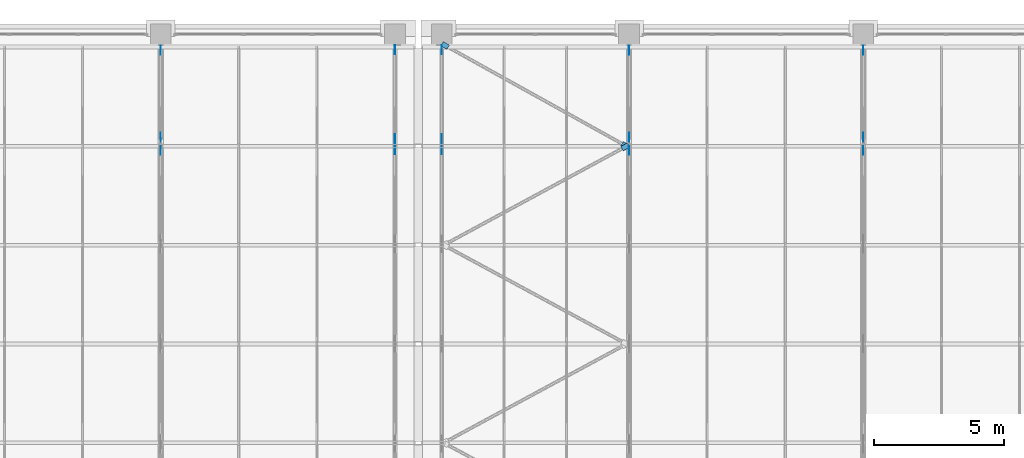
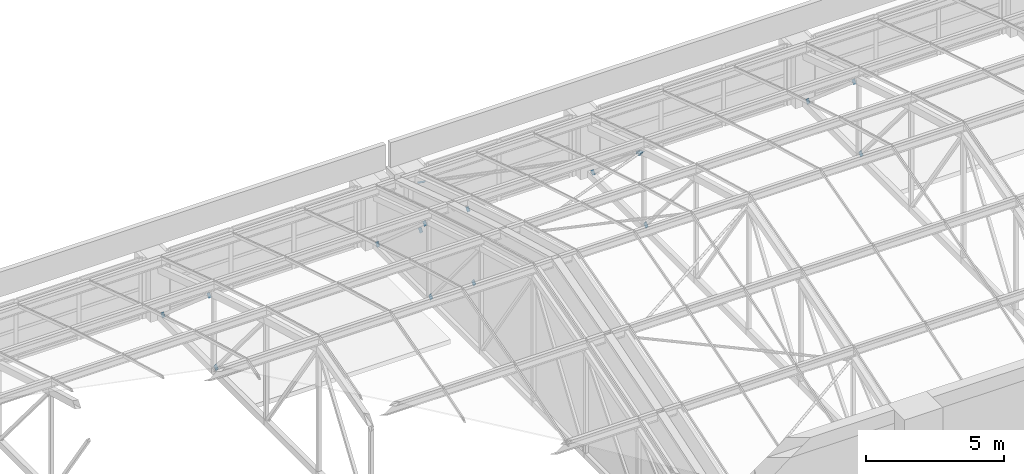
# One storey, part 73 of 82: 18 discrete accessories.
"""IFC4 building model written with IfcOpenShell, lengths in metres."""

from ifc_helpers import new_model, si_unit, direction, frame, origin, place, context, subcontext, project, spatial, polyline, outline, extrude, material, layer, layer_set, type_object, element, save


model = new_model("IFC4")

# Units and contexts
model_context = context("Model", 3, precision=1e-05, world=origin(), true_north=direction((0.0, 1.0)))
body_context = subcontext(model_context, "Body", "Model", "MODEL_VIEW")
ifc_project = project(units=[si_unit("LENGTHUNIT", "METRE"), si_unit("AREAUNIT", "SQUARE_METRE"), si_unit("VOLUMEUNIT", "CUBIC_METRE"), si_unit("PLANEANGLEUNIT", "RADIAN"), si_unit("MASSUNIT", "GRAM", prefix="KILO")], contexts=[model_context])

# Site, building, storey
site_placement = place(None, origin())
site = spatial("IfcSite", under=ifc_project, at=site_placement, CompositionType="ELEMENT")
building_placement = place(site_placement, origin())
building = spatial("IfcBuilding", under=site, at=building_placement, Name="Aravalli Gate Trade Fair Centre", CompositionType="ELEMENT")
storey_placement = place(building_placement, frame((0.0, 0.0, 19.199951171875)))
storey = spatial("IfcBuildingStorey", under=building, at=storey_placement, Name="L04", CompositionType="ELEMENT", Elevation=19.199951171875)

# Discrete accessories
ifc_material = material(Name="Steel E350", Category="steel")
ifc_layer = layer(ifc_material, 0.010009765625)
ifc_layer_set = layer_set([ifc_layer], Name="Steel E350")
discrete_accessory_type = type_object("IfcDiscreteAccessoryType", Name="Gusset plate 200 x 200 x 10", PredefinedType="USERDEFINED", material=ifc_layer_set)
discrete_accessory_1_placement = place(storey_placement, frame((96.0048828125, 128.368896484375, 0.388916015625), z_axis=(1.0, 0.0, 0.0), x_axis=(0.0, 0.642926085547, -0.765928226744)))
element("IfcDiscreteAccessory", 1, at=discrete_accessory_1_placement, inside=storey, type_object=discrete_accessory_type, Name="Gusset plate Concourse vault truss CT1 line 11 diagonal D5 end B", ObjectType="GUSSET PLATE", PredefinedType="USERDEFINED", context=body_context, shape_type="SweptSolid", body=[
    extrude(outline(polyline([(0.0, 0.0), (0.2798636494456477, -2.7755575615628914e-17), (0.2797343721370357, 0.19996558721966756), (-0.00012927730861199416, 0.1999655872196676), (0.0, 0.0)])), origin(), (0.0, 0.0, -1.0), 0.010009765625),
])
discrete_accessory_2_placement = place(storey_placement, frame((95.9951171875, 129.080810546875, 3.060791015625), z_axis=(-1.0, 0.0, 0.0), x_axis=(0.0, -0.756666176812, 0.653801420057)))
element("IfcDiscreteAccessory", 2, at=discrete_accessory_2_placement, inside=storey, type_object=discrete_accessory_type, Name="Gusset plate Concourse vault truss CT1 line 11 diagonal D6 end A", ObjectType="GUSSET PLATE", PredefinedType="USERDEFINED", context=body_context, shape_type="SweptSolid", body=[
    extrude(outline(polyline([(0.0, 0.0), (0.28006281897354945, 0.0), (0.2800100381297428, 0.2000904762631978), (0.00013195210951666425, 0.19993085677587924), (0.0, 0.0)])), origin(), (0.0, 0.0, -1.0), 0.010009765625),
])
discrete_accessory_3_placement = place(storey_placement, frame((96.0048828125, 132.209716796875, 0.355224609375), z_axis=(1.0, 0.0, 0.0), x_axis=(0.0, 0.756666176812, -0.653801420057)))
element("IfcDiscreteAccessory", 3, at=discrete_accessory_3_placement, inside=storey, type_object=discrete_accessory_type, Name="Gusset plate Concourse vault truss CT1 line 11 diagonal D6 end B", ObjectType="GUSSET PLATE", PredefinedType="USERDEFINED", context=body_context, shape_type="SweptSolid", body=[
    extrude(outline(polyline([(0.0, 0.0), (0.28006281897354945, 0.0), (0.2802752193046747, 0.19990574330987443), (5.27808438066657e-05, 0.2000904762631978), (0.0, 0.0)])), origin(), (0.0, 0.0, -1.0), 0.010009765625),
])
discrete_accessory_4_placement = place(storey_placement, frame((105.0048828125, 128.3916015625, 0.33984375), z_axis=(1.0, 0.0, 0.0), x_axis=(0.0, 0.639067373845, -0.769150760051)))
element("IfcDiscreteAccessory", 4, at=discrete_accessory_4_placement, inside=storey, type_object=discrete_accessory_type, Name="Gusset plate Concourse vault truss CT2 line 12 diagonal D5 end B", ObjectType="GUSSET PLATE", PredefinedType="USERDEFINED", context=body_context, shape_type="SweptSolid", body=[
    extrude(outline(polyline([(0.0, 0.0), (0.27964334405746344, 0.0), (0.27972796271361483, 0.1999016639045393), (-0.00010316229112665443, 0.2000576862126069), (0.0, 0.0)])), origin(), (0.0, 0.0, -1.0), 0.010009765625),
])
discrete_accessory_5_placement = place(storey_placement, frame((104.9951171875, 129.024169921875, 3.130859375), z_axis=(-1.0, 0.0, 0.0), x_axis=(0.0, -0.751387517828, 0.65986119605)))
element("IfcDiscreteAccessory", 5, at=discrete_accessory_5_placement, inside=storey, type_object=discrete_accessory_type, Name="Gusset plate Concourse vault truss CT2 line 12 diagonal D6 end A", ObjectType="GUSSET PLATE", PredefinedType="USERDEFINED", context=body_context, shape_type="SweptSolid", body=[
    extrude(outline(polyline([(0.0, 0.0), (0.28008080219175713, 0.0), (0.2802578620404331, 0.19999505782444854), (0.00017705984867599778, 0.19999505782444854), (0.0, 0.0)])), origin(), (0.0, 0.0, -1.0), 0.010009765625),
])
discrete_accessory_6_placement = place(storey_placement, frame((105.0048828125, 132.2412109375, 0.306884765625), z_axis=(1.0, 0.0, 0.0), x_axis=(0.0, 0.751766688996, -0.659429181426)))
element("IfcDiscreteAccessory", 6, at=discrete_accessory_6_placement, inside=storey, type_object=discrete_accessory_type, Name="Gusset plate Concourse vault truss CT2 line 12 diagonal D6 end B", ObjectType="GUSSET PLATE", PredefinedType="USERDEFINED", context=body_context, shape_type="SweptSolid", body=[
    extrude(outline(polyline([(0.0, 0.0), (0.2802642927106765, 0.0), (0.28020219219795656, 0.19999512656042612), (0.00028242972908229524, 0.19997258322361683), (0.0, 0.0)])), origin(), (0.0, 0.0, -1.0), 0.010009765625),
])
discrete_accessory_7_placement = place(storey_placement, frame((106.804931640625, 128.3916015625, 0.33984375), z_axis=(1.0, 0.0, 0.0), x_axis=(0.0, 0.639067373845, -0.769150760051)))
element("IfcDiscreteAccessory", 7, at=discrete_accessory_7_placement, inside=storey, type_object=discrete_accessory_type, Name="Gusset plate Concourse vault truss CT2 line 12A diagonal D5 end B", ObjectType="GUSSET PLATE", PredefinedType="USERDEFINED", context=body_context, shape_type="SweptSolid", body=[
    extrude(outline(polyline([(0.0, 0.0), (0.27964334405746344, 0.0), (0.27972796271361483, 0.1999016639045393), (-0.00010316229112665443, 0.2000576862126069), (0.0, 0.0)])), origin(), (0.0, 0.0, -1.0), 0.010009765625),
])
discrete_accessory_8_placement = place(storey_placement, frame((106.794921875, 129.024169921875, 3.130859375), z_axis=(-1.0, 0.0, 0.0), x_axis=(0.0, -0.751387517828, 0.65986119605)))
element("IfcDiscreteAccessory", 8, at=discrete_accessory_8_placement, inside=storey, type_object=discrete_accessory_type, Name="Gusset plate Concourse vault truss CT2 line 12A diagonal D6 end A", ObjectType="GUSSET PLATE", PredefinedType="USERDEFINED", context=body_context, shape_type="SweptSolid", body=[
    extrude(outline(polyline([(0.0, 0.0), (0.28008080219175713, 0.0), (0.2802578620404331, 0.19999505782444854), (0.00017705984867599778, 0.19999505782444854), (0.0, 0.0)])), origin(), (0.0, 0.0, -1.0), 0.010009765625),
])
discrete_accessory_9_placement = place(storey_placement, frame((106.804931640625, 132.2412109375, 0.306884765625), z_axis=(1.0, 0.0, 0.0), x_axis=(0.0, 0.751766688996, -0.659429181426)))
element("IfcDiscreteAccessory", 9, at=discrete_accessory_9_placement, inside=storey, type_object=discrete_accessory_type, Name="Gusset plate Concourse vault truss CT2 line 12A diagonal D6 end B", ObjectType="GUSSET PLATE", PredefinedType="USERDEFINED", context=body_context, shape_type="SweptSolid", body=[
    extrude(outline(polyline([(0.0, 0.0), (0.2802642927106765, 0.0), (0.28020219219795656, 0.19999512656042612), (0.00028242972908229524, 0.19997258322361683), (0.0, 0.0)])), origin(), (0.0, 0.0, -1.0), 0.010009765625),
])
discrete_accessory_10_placement = place(storey_placement, frame((114.0048828125, 128.368896484375, 0.388916015625), z_axis=(1.0, 0.0, 0.0), x_axis=(0.0, 0.642926085547, -0.765928226744)))
element("IfcDiscreteAccessory", 10, at=discrete_accessory_10_placement, inside=storey, type_object=discrete_accessory_type, Name="Gusset plate Concourse vault truss CT1 line 13 diagonal D5 end B", ObjectType="GUSSET PLATE", PredefinedType="USERDEFINED", context=body_context, shape_type="SweptSolid", body=[
    extrude(outline(polyline([(0.0, 0.0), (0.2798636494456477, -2.7755575615628914e-17), (0.2797343721370357, 0.19996558721966756), (-0.00012927730861199416, 0.1999655872196676), (0.0, 0.0)])), origin(), (0.0, 0.0, -1.0), 0.010009765625),
])
discrete_accessory_11_placement = place(storey_placement, frame((113.9951171875, 129.080810546875, 3.060791015625), z_axis=(-1.0, 0.0, 0.0), x_axis=(0.0, -0.756666176812, 0.653801420057)))
element("IfcDiscreteAccessory", 11, at=discrete_accessory_11_placement, inside=storey, type_object=discrete_accessory_type, Name="Gusset plate Concourse vault truss CT1 line 13 diagonal D6 end A", ObjectType="GUSSET PLATE", PredefinedType="USERDEFINED", context=body_context, shape_type="SweptSolid", body=[
    extrude(outline(polyline([(0.0, 0.0), (0.28006281897354945, 0.0), (0.2800100381297428, 0.2000904762631978), (0.00013195210951666425, 0.19993085677587924), (0.0, 0.0)])), origin(), (0.0, 0.0, -1.0), 0.010009765625),
])
discrete_accessory_12_placement = place(storey_placement, frame((114.0048828125, 132.209716796875, 0.355224609375), z_axis=(1.0, 0.0, 0.0), x_axis=(0.0, 0.756666176812, -0.653801420057)))
element("IfcDiscreteAccessory", 12, at=discrete_accessory_12_placement, inside=storey, type_object=discrete_accessory_type, Name="Gusset plate Concourse vault truss CT1 line 13 diagonal D6 end B", ObjectType="GUSSET PLATE", PredefinedType="USERDEFINED", context=body_context, shape_type="SweptSolid", body=[
    extrude(outline(polyline([(0.0, 0.0), (0.28006281897354945, 0.0), (0.2802752193046747, 0.19990574330987443), (5.27808438066657e-05, 0.2000904762631978), (0.0, 0.0)])), origin(), (0.0, 0.0, -1.0), 0.010009765625),
])
discrete_accessory_13_placement = place(storey_placement, frame((123.0048828125, 128.368896484375, 0.388916015625), z_axis=(1.0, 0.0, 0.0), x_axis=(0.0, 0.642926085547, -0.765928226744)))
element("IfcDiscreteAccessory", 13, at=discrete_accessory_13_placement, inside=storey, type_object=discrete_accessory_type, Name="Gusset plate Concourse vault truss CT1 line 14 diagonal D5 end B", ObjectType="GUSSET PLATE", PredefinedType="USERDEFINED", context=body_context, shape_type="SweptSolid", body=[
    extrude(outline(polyline([(0.0, 0.0), (0.2798636494456477, -2.7755575615628914e-17), (0.2797343721370357, 0.19996558721966756), (-0.00012927730861199416, 0.1999655872196676), (0.0, 0.0)])), origin(), (0.0, 0.0, -1.0), 0.010009765625),
])
discrete_accessory_14_placement = place(storey_placement, frame((122.9951171875, 129.080810546875, 3.060791015625), z_axis=(-1.0, 0.0, 0.0), x_axis=(0.0, -0.756666176812, 0.653801420057)))
element("IfcDiscreteAccessory", 14, at=discrete_accessory_14_placement, inside=storey, type_object=discrete_accessory_type, Name="Gusset plate Concourse vault truss CT1 line 14 diagonal D6 end A", ObjectType="GUSSET PLATE", PredefinedType="USERDEFINED", context=body_context, shape_type="SweptSolid", body=[
    extrude(outline(polyline([(0.0, 0.0), (0.28006281897354945, 0.0), (0.2800100381297428, 0.2000904762631978), (0.00013195210951666425, 0.19993085677587924), (0.0, 0.0)])), origin(), (0.0, 0.0, -1.0), 0.010009765625),
])
discrete_accessory_15_placement = place(storey_placement, frame((123.0048828125, 132.209716796875, 0.355224609375), z_axis=(1.0, 0.0, 0.0), x_axis=(0.0, 0.756666176812, -0.653801420057)))
element("IfcDiscreteAccessory", 15, at=discrete_accessory_15_placement, inside=storey, type_object=discrete_accessory_type, Name="Gusset plate Concourse vault truss CT1 line 14 diagonal D6 end B", ObjectType="GUSSET PLATE", PredefinedType="USERDEFINED", context=body_context, shape_type="SweptSolid", body=[
    extrude(outline(polyline([(0.0, 0.0), (0.28006281897354945, 0.0), (0.2802752193046747, 0.19990574330987443), (5.27808438066657e-05, 0.2000904762631978), (0.0, 0.0)])), origin(), (0.0, 0.0, -1.0), 0.010009765625),
])
discrete_accessory_16_placement = place(storey_placement, frame((113.775390625, 128.52392578125, 3.582275390625), z_axis=(0.003577851125, 0.289413133311, 0.957197595718), x_axis=(0.869922278531, 0.471171993765, -0.14571266797)))
element("IfcDiscreteAccessory", 16, at=discrete_accessory_16_placement, inside=storey, type_object=discrete_accessory_type, Name="Gusset plate Vault plan brace 13.5 end B", ObjectType="GUSSET PLATE", PredefinedType="USERDEFINED", context=body_context, shape_type="SweptSolid", body=[
    extrude(outline(polyline([(0.0, 0.0), (0.2798045419627696, 5.204170427930421e-18), (0.28007380232094087, 0.19997513491758967), (5.6876989389245854e-05, 0.20009553918013886), (0.0, 0.0)])), origin(), (0.0, 0.0, -1.0), 0.010009765625),
])
discrete_accessory_17_placement = place(storey_placement, frame((106.997314453125, 132.423583984375, 2.328369140625), z_axis=(0.003294131181, 0.312495439515, 0.949913548162), x_axis=(-0.86367425053, 0.479688335394, -0.154809204696)))
element("IfcDiscreteAccessory", 17, at=discrete_accessory_17_placement, inside=storey, type_object=discrete_accessory_type, Name="Gusset plate Vault plan brace 13.6 end A", ObjectType="GUSSET PLATE", PredefinedType="USERDEFINED", context=body_context, shape_type="SweptSolid", body=[
    extrude(outline(polyline([(0.0, 0.0), (0.27985042034239727, -3.469446951953614e-18), (0.2801041368496242, -0.19999509043400412), (5.063319916030762e-06, -0.20005186904687733), (0.0, 0.0)])), origin(), (0.0, 0.0, -1.0), 0.010009765625),
])
discrete_accessory_18_placement = place(storey_placement, frame((113.6767578125, 128.714599609375, 3.5205078125), z_axis=(-0.010138585565, 0.290530647674, 0.956811973088), x_axis=(0.863781956478, -0.479512170709, 0.154754030012)))
element("IfcDiscreteAccessory", 18, at=discrete_accessory_18_placement, inside=storey, type_object=discrete_accessory_type, Name="Gusset plate Vault plan brace 13.6 end B", ObjectType="GUSSET PLATE", PredefinedType="USERDEFINED", context=body_context, shape_type="SweptSolid", body=[
    extrude(outline(polyline([(0.0, 0.0), (0.2800990796146971, -8.673617379884035e-18), (0.27997910897637723, 0.19987224051845326), (0.0001286953740067976, 0.19993514828667924), (0.0, 0.0)])), origin(), (0.0, 0.0, -1.0), 0.010009765625),
])

save(model, "model.ifc")
